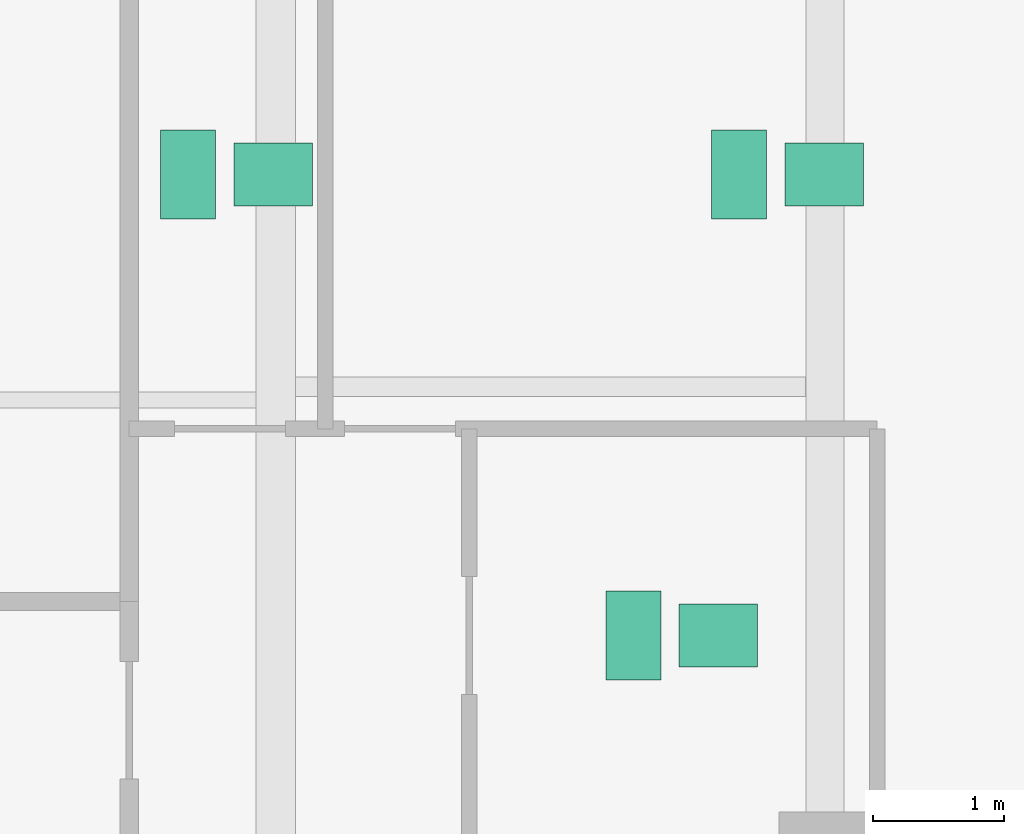
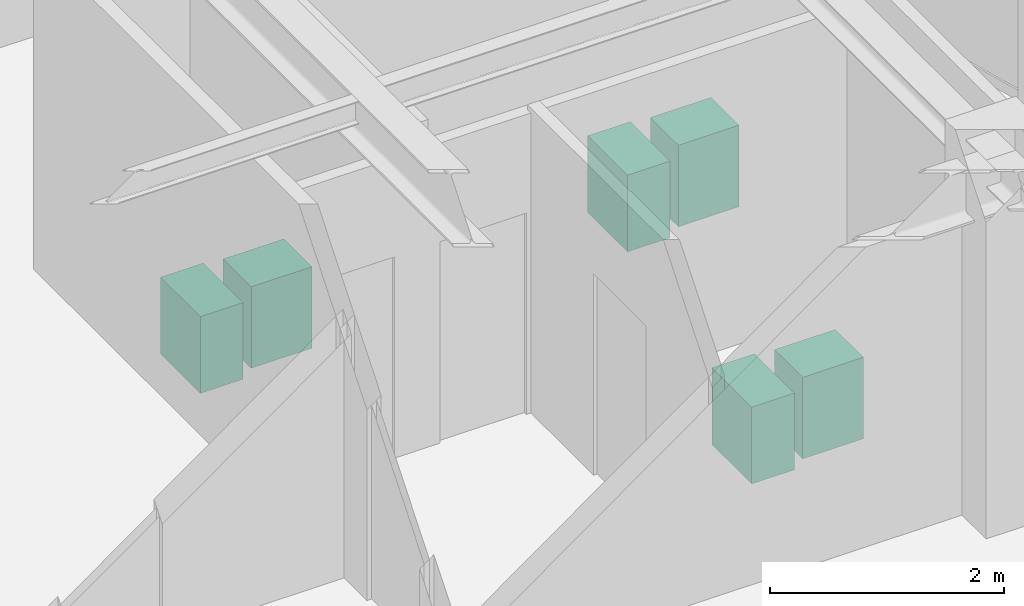
# One storey, part 21 of 21: 6 sanitary terminals.
"""IFC4 building model written with IfcOpenShell, lengths in metres."""

from ifc_helpers import new_model, si_unit, direction, frame, origin, origin_2d, place, context, subcontext, project, spatial, rectangle, extrude, source, transform, mapped, material, type_object, type_shapes, element, save


model = new_model("IFC4")

# Units and contexts
model_context = context("Model", 3, precision=1e-05, world=origin(), true_north=direction((0.0, 1.0)))
body_context = subcontext(model_context, "Body", "Model", "MODEL_VIEW")
ifc_project = project(units=[si_unit("LENGTHUNIT", "METRE"), si_unit("AREAUNIT", "SQUARE_METRE"), si_unit("VOLUMEUNIT", "CUBIC_METRE"), si_unit("PLANEANGLEUNIT", "RADIAN"), si_unit("MASSUNIT", "GRAM", prefix="KILO")], contexts=[model_context])

# Site, building, storey
site_placement = place(None, origin())
site = spatial("IfcSite", under=ifc_project, at=site_placement, CompositionType="ELEMENT")
building_placement = place(site_placement, origin())
building = spatial("IfcBuilding", under=site, at=building_placement, Name="Krantzveldt Concourse Tower", CompositionType="ELEMENT")
storey_placement = place(building_placement, frame((0.0, 0.0, 347.449951171875)))
storey = spatial("IfcBuildingStorey", under=building, at=storey_placement, Name="L85", CompositionType="ELEMENT", Elevation=347.449951171875)

# Sanitary terminals
ifc_material = material(Name="Vitreous china", Category="ceramic")
sanitary_terminal_type_1 = type_object("IfcSanitaryTerminalType", Name="SAN-WC-SUITE", PredefinedType="TOILETPAN", material=ifc_material)
shared_shape_1 = source(origin(), body_context, "Body", "SweptSolid", [
    extrude(rectangle(XDim=0.419921875, YDim=0.679931640625, at=origin_2d()), origin(), (0.0, 0.0, 1.0), 0.800048828125),
])
type_shapes(sanitary_terminal_type_1, [shared_shape_1])
for number, where, z_axis, x_axis, name in (
    (1, (50.3447265625, 31.925048828125, 0.0), (0.0, 0.0, 1.0), (1.0, 0.0, 0.0), "WC-SP-L85-WCM"),
    (2, (46.1298828125, 31.925048828125, 0.0), (0.0, 0.0, 1.0), (1.0, 0.0, 0.0), "WC-SP-L85-WCF"),
    (3, (49.534912109375, 28.39990234375, 0.0), (0.0, 0.0, 1.0), (1.0, 0.0, 0.0), "WC-SP-L85-WCA"),
):
    element("IfcSanitaryTerminal", number, at=place(storey_placement, frame(where, z_axis=z_axis, x_axis=x_axis)), inside=storey, type_object=sanitary_terminal_type_1, Name=name, PredefinedType="TOILETPAN", context=body_context, shape_type="MappedRepresentation", body=[
        mapped(shared_shape_1, transform((0.0, 0.0, 0.0), x_axis=(1.0, 0.0, 0.0), y_axis=(0.0, 1.0, 0.0), z_axis=(0.0, 0.0, 1.0), scale=1.0)),
    ])
sanitary_terminal_type_2 = type_object("IfcSanitaryTerminalType", Name="SAN-BASIN-600", PredefinedType="WASHHANDBASIN", material=ifc_material)
shared_shape_2 = source(origin(), body_context, "Body", "SweptSolid", [
    extrude(rectangle(XDim=0.60009765625, YDim=0.47998046875, at=origin_2d()), origin(), (0.0, 0.0, 1.0), 0.85009765625),
])
type_shapes(sanitary_terminal_type_2, [shared_shape_2])
for number, where, z_axis, x_axis, name in (
    (4, (50.99462890625, 31.925048828125, 0.0048828125), (0.0, 0.0, 1.0), (1.0, 0.0, 0.0), "BSN-SP-L85-WCM"),
    (5, (46.780029296875, 31.925048828125, 0.0048828125), (0.0, 0.0, 1.0), (1.0, 0.0, 0.0), "BSN-SP-L85-WCF"),
    (6, (50.18505859375, 28.39990234375, 0.0048828125), (0.0, 0.0, 1.0), (1.0, 0.0, 0.0), "BSN-SP-L85-WCA"),
):
    element("IfcSanitaryTerminal", number, at=place(storey_placement, frame(where, z_axis=z_axis, x_axis=x_axis)), inside=storey, type_object=sanitary_terminal_type_2, Name=name, PredefinedType="WASHHANDBASIN", context=body_context, shape_type="MappedRepresentation", body=[
        mapped(shared_shape_2, transform((0.0, 0.0, 0.0), x_axis=(1.0, 0.0, 0.0), y_axis=(0.0, 1.0, 0.0), z_axis=(0.0, 0.0, 1.0), scale=1.0)),
    ])

save(model, "model.ifc")
